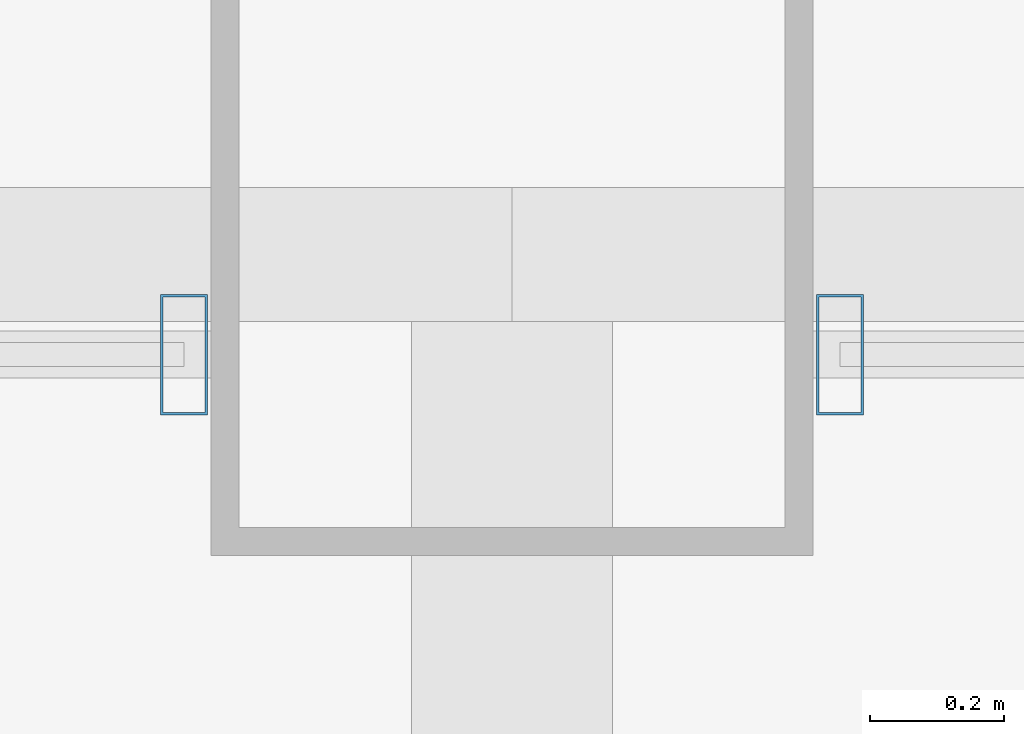
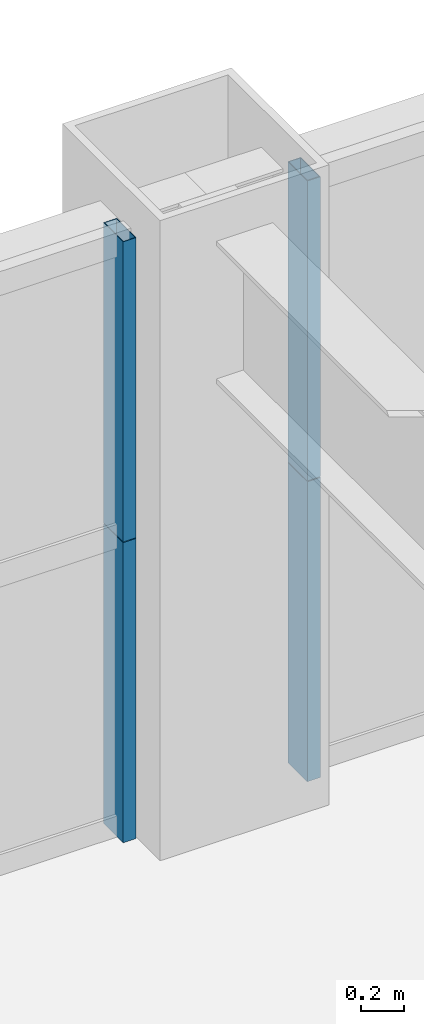
# One storey, part 30 of 43: 4 members, 2 elements without a shape of their own.
"""IFC4 building model written with IfcOpenShell, lengths in metres."""

from ifc_helpers import new_model, si_unit, direction, frame, origin, origin_2d, place, context, subcontext, project, spatial, hollow_rectangle, extrude, source, transform, mapped, material, layer, layer_set, material_profile, profile_set, type_object, element, aggregate, save


model = new_model("IFC4")

# Units and contexts
model_context = context("Model", 3, precision=1e-05, world=origin(), true_north=direction((0.0, 1.0)))
body_context = subcontext(model_context, "Body", "Model", "MODEL_VIEW")
ifc_project = project(units=[si_unit("LENGTHUNIT", "METRE"), si_unit("AREAUNIT", "SQUARE_METRE"), si_unit("VOLUMEUNIT", "CUBIC_METRE"), si_unit("PLANEANGLEUNIT", "RADIAN"), si_unit("MASSUNIT", "GRAM", prefix="KILO"), si_unit("THERMODYNAMICTEMPERATUREUNIT", "KELVIN"), si_unit("POWERUNIT", "WATT")], contexts=[model_context])

# Site, building, storey
site_placement = place(None, origin())
site = spatial("IfcSite", under=ifc_project, at=site_placement, CompositionType="ELEMENT")
building_placement = place(site_placement, origin())
building = spatial("IfcBuilding", under=site, at=building_placement, Name="Yuzanri Waterfront Tower", CompositionType="ELEMENT")
storey_placement = place(building_placement, frame((0.0, 0.0, 78.39990234375)))
storey = spatial("IfcBuildingStorey", under=building, at=storey_placement, Name="L20", CompositionType="ELEMENT", Elevation=78.39990234375)

# Curtain wall, members
ifc_material_1 = material(Name="Anodized Architectural Bronze", Category="metal")
ifc_layer = layer(ifc_material_1, 0.159912109375)
ifc_layer_set = layer_set([ifc_layer], Name="Anodized Architectural Bronze")
curtain_wall_type = type_object("IfcCurtainWallType", Name="Anodized Bronze Hotel Lower-Tier Recessed Unitized Curtain Wall 8100", PredefinedType="NOTDEFINED", material=ifc_layer_set)
curtain_wall_1_placement = place(storey_placement, origin())
curtain_wall_1 = element("IfcCurtainWall", 1, at=curtain_wall_1_placement, inside=storey, type_object=curtain_wall_type, Name="L20 Curtain Wall CW-L20-NL", PredefinedType="NOTDEFINED")
ifc_material_2 = material(Name="Anodized Architectural Bronze", Category="metal")
ifc_material_profile = material_profile(ifc_material_2, hollow_rectangle(XDim=0.070068359375, YDim=0.179931640625, WallThickness=0.00390625, at=origin_2d()), Name="CWM 70x180")
ifc_profile_set = profile_set([ifc_material_profile], Name="Anodized Architectural Bronze")
member_type = type_object("IfcMemberType", Name="Anodized Bronze Standard Curtain-Wall Mullion 70x180", PredefinedType="MULLION", material=ifc_profile_set)
shared_shape = source(origin(), body_context, "Body", "SweptSolid", [
    extrude(hollow_rectangle(XDim=0.070068359375, YDim=0.179931640625, WallThickness=0.00390625, at=origin_2d()), origin(), (0.0, 0.0, 1.0), 1.68798828125),
])
member_1_placement = place(storey_placement, frame((36.510009765625, 50.75, 0.0), z_axis=(0.0, 0.0, 1.0), x_axis=(1.0, 0.0, 0.0)))
member_1 = element("IfcMember", 2, at=member_1_placement, type_object=member_type, Name="CW-L20-NL Lower Mullion 02", PredefinedType="MULLION", context=body_context, shape_type="MappedRepresentation", body=[
    mapped(shared_shape, transform((0.0, 0.0, 0.0), scale=1.0)),
])
member_2_placement = place(storey_placement, frame((36.510009765625, 50.75, 1.692138671875), z_axis=(0.0, 0.0, 1.0), x_axis=(1.0, 0.0, 0.0)))
member_2 = element("IfcMember", 3, at=member_2_placement, type_object=member_type, Name="CW-L20-NL Upper Mullion 02", PredefinedType="MULLION", context=body_context, shape_type="MappedRepresentation", body=[
    mapped(shared_shape, transform((0.0, 0.0, 0.0), scale=1.0)),
])
aggregate(curtain_wall_1, [member_1, member_2])

curtain_wall_2_placement = place(storey_placement, origin())
curtain_wall_2 = element("IfcCurtainWall", 4, at=curtain_wall_2_placement, inside=storey, type_object=curtain_wall_type, Name="L20 Curtain Wall CW-L20-NR", PredefinedType="NOTDEFINED")
member_3_placement = place(storey_placement, frame((37.489990234375, 50.75, 0.0), z_axis=(0.0, 0.0, 1.0), x_axis=(1.0, 0.0, 0.0)))
member_3 = element("IfcMember", 5, at=member_3_placement, type_object=member_type, Name="CW-L20-NR Lower Mullion 00", PredefinedType="MULLION", context=body_context, shape_type="MappedRepresentation", body=[
    mapped(shared_shape, transform((0.0, 0.0, 0.0), scale=1.0)),
])
member_4_placement = place(storey_placement, frame((37.489990234375, 50.75, 1.692138671875), z_axis=(0.0, 0.0, 1.0), x_axis=(1.0, 0.0, 0.0)))
member_4 = element("IfcMember", 6, at=member_4_placement, type_object=member_type, Name="CW-L20-NR Upper Mullion 00", PredefinedType="MULLION", context=body_context, shape_type="MappedRepresentation", body=[
    mapped(shared_shape, transform((0.0, 0.0, 0.0), scale=1.0)),
])
aggregate(curtain_wall_2, [member_3, member_4])

save(model, "model.ifc")
